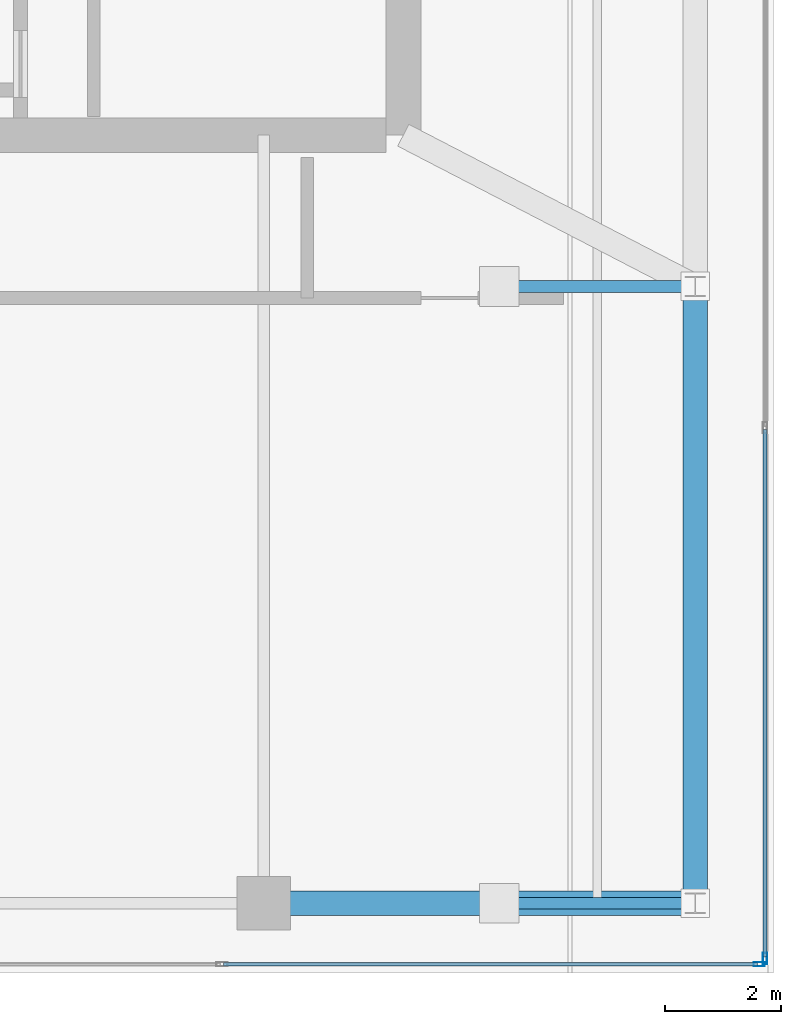
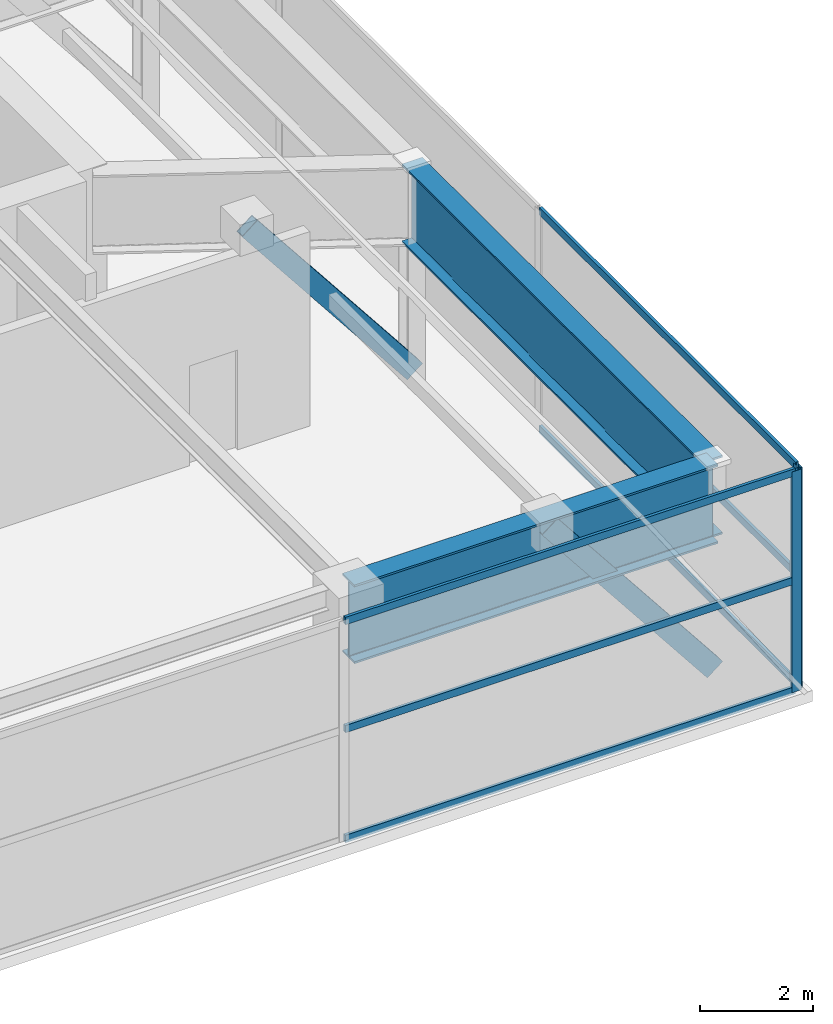
# One storey, part 6 of 20: 8 members, 4 beams, 2 elements without a shape of their own.
"""IFC4 building model written with IfcOpenShell, lengths in metres."""

import ifcopenshell
import ifcopenshell.guid

model = None  # the IFC model being written
_history = None  # IfcOwnerHistory: only IFC2X3 demands one
_inside = {}  # id of a spatial element -> (the spatial element, [elements in it])
_under = {}  # id of a project, library or spatial element -> (it, [spatial elements below it])
_declared = {}  # id of a project -> (the project, [libraries it declares])
_typed = {}  # id of a type object -> (the type object, [elements of that type])
_made_of = {}  # id of a material, layer set ... -> (it, [elements and type objects made of it])


def new_model(schema):
    """Start an empty IFC model of exactly this schema.

    Asked for "IFC4X3", IfcOpenShell would pick the latest addendum, in which some entities
    have other attributes; the version numbers below select the first issue.
    IFC2X3 requires an IfcOwnerHistory on every rooted entity: one is made here for all.
    """
    global model, _history
    if schema == "IFC4X3":
        model = ifcopenshell.file(schema_version=(4, 3, 0, 0))
    else:
        model = ifcopenshell.file(schema=schema)
    _inside.clear()
    _under.clear()
    _declared.clear()
    _typed.clear()
    _made_of.clear()
    _history = None
    if model.schema == "IFC2X3":
        org = make("IfcOrganization", Name="unknown")
        user = make(
            "IfcPersonAndOrganization",
            ThePerson=make("IfcPerson", FamilyName="unknown"),
            TheOrganization=org,
        )
        app = make(
            "IfcApplication",
            ApplicationDeveloper=org,
            Version="unknown",
            ApplicationFullName="unknown",
            ApplicationIdentifier="unknown",
        )
        _history = make(
            "IfcOwnerHistory",
            OwningUser=user,
            OwningApplication=app,
            ChangeAction="ADDED",
            CreationDate=0,
        )
    return model


def make(cls, **values):
    """One entity of the class cls with the attributes given. An attribute that is None is left unset."""
    return model.create_entity(
        cls, **{name: value for name, value in values.items() if value is not None}
    )


def rooted(cls, **values):
    """An entity with a GlobalId (a new one), such as an element, a storey or a relation."""
    return make(cls, GlobalId=ifcopenshell.guid.new(), OwnerHistory=_history, **values)


def si_unit(unit_type, name, prefix=None):
    """IfcSIUnit, for example si_unit("LENGTHUNIT", "METRE", prefix="MILLI")."""
    return make("IfcSIUnit", UnitType=unit_type, Prefix=prefix, Name=name)


def assignment(units):
    """IfcUnitAssignment: the units of a project."""
    return None if units is None else make("IfcUnitAssignment", Units=units)


def point(xyz):
    """IfcCartesianPoint."""
    return None if xyz is None else make("IfcCartesianPoint", Coordinates=xyz)


def direction(xyz):
    """IfcDirection."""
    return None if xyz is None else make("IfcDirection", DirectionRatios=xyz)


def frame(location, z_axis=None, x_axis=None):
    """IfcAxis2Placement3D, a coordinate frame: its origin and axes. An axis left out is left unset."""
    return make(
        "IfcAxis2Placement3D",
        Location=point(location),
        Axis=direction(z_axis),
        RefDirection=direction(x_axis),
    )


def frame_2d(location, x_axis=None):
    """IfcAxis2Placement2D, a coordinate frame in the plane: its origin and x axis."""
    return make(
        "IfcAxis2Placement2D", Location=point(location), RefDirection=direction(x_axis)
    )


def origin():
    """The frame at (0, 0, 0) with its axes left unset."""
    return frame((0.0, 0.0, 0.0))


def origin_2d():
    """The frame at (0, 0) in the plane with its x axis left unset."""
    return frame_2d((0.0, 0.0))


def place(relative_to, where):
    """IfcLocalPlacement: puts the frame where relative to a parent placement (None: the world)."""
    return make(
        "IfcLocalPlacement", PlacementRelTo=relative_to, RelativePlacement=where
    )


def context(
    kind, dimensions, precision=None, world=None, true_north=None, identifier=None
):
    """IfcGeometricRepresentationContext, for example the 3D "Model" context."""
    return make(
        "IfcGeometricRepresentationContext",
        ContextIdentifier=identifier,
        ContextType=kind,
        CoordinateSpaceDimension=dimensions,
        Precision=precision,
        WorldCoordinateSystem=world,
        TrueNorth=true_north,
    )


def subcontext(parent, identifier, kind, view, scale=None):
    """IfcGeometricRepresentationSubContext, for example "Body" below "Model"."""
    return make(
        "IfcGeometricRepresentationSubContext",
        ContextIdentifier=identifier,
        ContextType=kind,
        ParentContext=parent,
        TargetScale=scale,
        TargetView=view,
    )


def project(units=None, contexts=None):
    """IfcProject with its units and contexts."""
    return rooted(
        "IfcProject",
        Name="project",
        RepresentationContexts=contexts,
        UnitsInContext=assignment(units),
    )


def spatial(cls, under=None, at=None, **own):
    """A site, building, storey or space (cls), placed at a placement, below another one or the project."""
    s = rooted(cls, ObjectPlacement=at, **own)
    if under is not None:
        _under.setdefault(under.id(), (under, []))[1].append(s)
    return s


def profile(cls, at=None, kind="AREA", **sizes):
    """A parametric profile (cls). Its sizes go by their IFC names, for example OverallWidth=200.0."""
    return make(cls, ProfileType=kind, Position=at, **sizes)


def hollow_rectangle(**sizes):
    """IfcRectangleHollowProfileDef."""
    return profile("IfcRectangleHollowProfileDef", **sizes)


def i_section(**sizes):
    """IfcIShapeProfileDef."""
    return profile("IfcIShapeProfileDef", **sizes)


def extrude(swept, where, along, depth):
    """IfcExtrudedAreaSolid: the profile swept, set in the frame where, extruded along a direction by depth."""
    return make(
        "IfcExtrudedAreaSolid",
        SweptArea=swept,
        Position=where,
        ExtrudedDirection=direction(along),
        Depth=depth,
    )


def shape(context_of_items, identifier, shape_type, items):
    """IfcShapeRepresentation: the items that make up one representation, for example the "Body"."""
    return make(
        "IfcShapeRepresentation",
        ContextOfItems=context_of_items,
        RepresentationIdentifier=identifier,
        RepresentationType=shape_type,
        Items=items,
    )


def material(Name=None, Category=None):
    """IfcMaterial."""
    return make("IfcMaterial", Name=Name, Category=Category)


def layer(
    of_material, thickness, ventilated=None, Name=None, Category=None, Priority=None
):
    """IfcMaterialLayer: one layer of a wall or slab, of a material (None: an air gap)."""
    return make(
        "IfcMaterialLayer",
        Material=of_material,
        LayerThickness=thickness,
        IsVentilated=ventilated,
        Name=Name,
        Category=Category,
        Priority=Priority,
    )


def layer_set(layers, Name=None):
    """IfcMaterialLayerSet."""
    return make("IfcMaterialLayerSet", MaterialLayers=layers, LayerSetName=Name)


def material_profile(
    of_material, cross_section, Name=None, Category=None, Priority=None
):
    """IfcMaterialProfile: a cross section and its material."""
    return make(
        "IfcMaterialProfile",
        Name=Name,
        Material=of_material,
        Profile=cross_section,
        Priority=Priority,
        Category=Category,
    )


def profile_set(profiles, Name=None, composite=None):
    """IfcMaterialProfileSet."""
    return make(
        "IfcMaterialProfileSet",
        Name=Name,
        MaterialProfiles=profiles,
        CompositeProfile=composite,
    )


def made_of(thing, what):
    """Note that an element or type object is made of a material, layer set ...; save() writes the relation."""
    if what is not None:
        _made_of.setdefault(what.id(), (what, []))[1].append(thing)
    return thing


def type_object(cls, material=None, **own):
    """A type object (cls), such as IfcWallType, which elements share."""
    return made_of(rooted(cls, **own), material)


def element(
    cls,
    number,
    at=None,
    inside=None,
    cuts=None,
    type_object=None,
    material=None,
    context=None,
    identifier="Body",
    shape_type=None,
    held_by="IfcProductDefinitionShape",
    body=None,
    shapes=None,
    **own,
):
    """One element of the class cls, such as IfcWall. Its Tag is "e" and its number.

    at: its placement. inside: the storey or other place that contains it. cuts: it is an
    opening in that element (IfcRelVoidsElement). A single representation is given by context,
    identifier, shape_type and body (its items); several are given by shapes. held_by: the class
    of the entity that holds the representations. save() writes the other relations.
    """
    e = rooted(cls, Tag="e%d" % number, ObjectPlacement=at, **own)
    if body is not None:
        shapes = [shape(context, identifier, shape_type, body)]
    if shapes is not None:
        e.Representation = make(held_by, Representations=shapes)
    if inside is not None:
        _inside.setdefault(inside.id(), (inside, []))[1].append(e)
    if cuts is not None:
        rooted(
            "IfcRelVoidsElement", RelatingBuildingElement=cuts, RelatedOpeningElement=e
        )
    if type_object is not None:
        _typed.setdefault(type_object.id(), (type_object, []))[1].append(e)
    return made_of(e, material)


def aggregate(whole, parts):
    """IfcRelAggregates: a whole, such as a stair, and the parts it consists of."""
    return rooted("IfcRelAggregates", RelatingObject=whole, RelatedObjects=parts)


def save(model, path):
    """Write the relations noted so far, then the file.

    IfcRelAggregates (storeys below a building ...), IfcRelContainedInSpatialStructure (elements
    in a storey), IfcRelDefinesByType, IfcRelAssociatesMaterial and IfcRelDeclares: one each for
    every whole, place, type object, material and project.
    """
    for whole, parts in _under.values():
        aggregate(whole, parts)
    for where, things in _inside.values():
        rooted(
            "IfcRelContainedInSpatialStructure",
            RelatedElements=things,
            RelatingStructure=where,
        )
    for kind, things in _typed.values():
        rooted("IfcRelDefinesByType", RelatedObjects=things, RelatingType=kind)
    for what, things in _made_of.values():
        rooted("IfcRelAssociatesMaterial", RelatedObjects=things, RelatingMaterial=what)
    for by, libraries in _declared.values():
        rooted("IfcRelDeclares", RelatingContext=by, RelatedDefinitions=libraries)
    model.write(path)


model = new_model("IFC4")

# Units and contexts
model_context = context("Model", 3, precision=1e-05, world=origin(), true_north=direction((0.0, 1.0)))
body_context = subcontext(model_context, "Body", "Model", "MODEL_VIEW")
ifc_project = project(units=[si_unit("LENGTHUNIT", "METRE"), si_unit("AREAUNIT", "SQUARE_METRE"), si_unit("VOLUMEUNIT", "CUBIC_METRE"), si_unit("PLANEANGLEUNIT", "RADIAN"), si_unit("MASSUNIT", "GRAM", prefix="KILO")], contexts=[model_context])

# Site, building, storey
site_placement = place(None, origin())
site = spatial("IfcSite", under=ifc_project, at=site_placement, CompositionType="ELEMENT")
building_placement = place(site_placement, origin())
building = spatial("IfcBuilding", under=site, at=building_placement, Name="Calvorn Quay Hotel", CompositionType="ELEMENT")
storey_placement = place(building_placement, frame((0.0, 0.0, 340.5)))
storey = spatial("IfcBuildingStorey", under=building, at=storey_placement, Name="L83", CompositionType="ELEMENT", Elevation=340.5)

# Beams
ifc_material_1 = material(Name="Steel Q355B", Category="steel")
ifc_material_profile_1 = material_profile(ifc_material_1, hollow_rectangle(XDim=0.199951171875, YDim=0.39990234375, WallThickness=0.013916015625, at=origin_2d()), Name="RHS400x200x14")
ifc_profile_set_1 = profile_set([ifc_material_profile_1], Name="Steel Q355B")
beam_type_1 = type_object("IfcBeamType", Name="BM-CRN-RAFTER", PredefinedType="BEAM", material=ifc_profile_set_1)
for number, where, z_axis, x_axis, name in (
    (1, (20.01708984375, 3.60009765625, 0.25), (-0.62010046776, 0.0, 0.784522408784), (0.0, -1.0, 0.0), "Crown Raking Rafter L83-1"),
    (2, (20.01708984375, 14.199951171875, 0.25), (-0.62010046776, 0.0, 0.784522408784), (0.0, -1.0, 0.0), "Crown Raking Rafter L83-2"),
):
    element("IfcBeam", number, at=place(storey_placement, frame(where, z_axis=z_axis, x_axis=x_axis)), inside=storey, type_object=beam_type_1, Name=name, PredefinedType="BEAM", context=body_context, shape_type="SweptSolid", body=[
        extrude(hollow_rectangle(XDim=0.199951171875, YDim=0.39990234375, WallThickness=0.013916015625, at=origin_2d()), origin(), (0.0, 0.0, 1.0), 5.43017578125),
    ])
ifc_material_2 = material(Name="Steel Q420GJC", Category="steel")
ifc_material_profile_2 = material_profile(ifc_material_2, i_section(OverallWidth=0.419921875, OverallDepth=1.699951171875, WebThickness=0.02392578125, FlangeThickness=0.0419921875, FilletRadius=0.02392578125, at=origin_2d()), Name="HN1700x420x24x42")
ifc_profile_set_2 = profile_set([ifc_material_profile_2], Name="Steel Q420GJC")
beam_type_2 = type_object("IfcBeamType", Name="BM-XFER-SAWTOOTH", PredefinedType="BEAM", material=ifc_profile_set_2)
beam_1_placement = place(storey_placement, frame((12.60009765625, 3.60009765625, 3.889892578125), z_axis=(1.0, 0.0, 0.0), x_axis=(0.0, 1.0, 0.0)))
element("IfcBeam", 3, at=beam_1_placement, inside=storey, type_object=beam_type_2, Name="Beam BTG-L83-C-CR1", PredefinedType="BEAM", context=body_context, shape_type="SweptSolid", body=[
    extrude(i_section(OverallWidth=0.419921875, OverallDepth=1.699951171875, WebThickness=0.02392578125, FlangeThickness=0.0419921875, FilletRadius=0.02392578125, at=origin_2d()), origin(), (0.0, 0.0, 1.0), 7.4169921875),
])
beam_2_placement = place(storey_placement, frame((20.01708984375, 3.60009765625, 3.889892578125), z_axis=(0.0, 1.0, 0.0), x_axis=(-1.0, 0.0, 0.0)))
element("IfcBeam", 4, at=beam_2_placement, inside=storey, type_object=beam_type_2, Name="Beam BTG-L83-CE1", PredefinedType="BEAM", context=body_context, shape_type="SweptSolid", body=[
    extrude(i_section(OverallWidth=0.419921875, OverallDepth=1.699951171875, WebThickness=0.02392578125, FlangeThickness=0.0419921875, FilletRadius=0.02392578125, at=origin_2d()), origin(), (0.0, 0.0, 1.0), 10.599853515625),
])

# Curtain wall, member
ifc_material_3 = material(Name="Pale Anodised Aluminium and Laminated Glass", Category="aluminium")
ifc_layer = layer(ifc_material_3, 0.219970703125)
ifc_layer_set = layer_set([ifc_layer], Name="CW-SYS-CRN")
curtain_wall_type = type_object("IfcCurtainWallType", Name="CW-SYS-CRN", PredefinedType="NOTDEFINED", material=ifc_layer_set)
curtain_wall_1_placement = place(storey_placement, origin())
curtain_wall_1 = element("IfcCurtainWall", 5, at=curtain_wall_1_placement, inside=storey, type_object=curtain_wall_type, Name="Crown Curtain Wall L83-C1", PredefinedType="NOTDEFINED")
ifc_material_4 = material(Name="Pale Anodised Aluminium 6063-T6", Category="aluminium")
ifc_material_profile_3 = material_profile(ifc_material_4, hollow_rectangle(XDim=0.072021484375, YDim=0.195068359375, WallThickness=0.00390625, at=origin_2d()), Name="ALU-M195x72x4")
ifc_profile_set_3 = profile_set([ifc_material_profile_3], Name="Pale Anodised Aluminium 6063-T6")
member_type_1 = type_object("IfcMemberType", Name="CW-SYS-CRN-MUL", PredefinedType="MULLION", material=ifc_profile_set_3)
member_1_placement = place(storey_placement, frame((21.116943359375, 2.550048828125, 0.0), z_axis=(0.0, 0.0, 1.0), x_axis=(0.0, 1.0, 0.0)))
member_1 = element("IfcMember", 6, at=member_1_placement, type_object=member_type_1, Name="CW-L83-C1 mullion 3", PredefinedType="MULLION", context=body_context, shape_type="SweptSolid", body=[
    extrude(hollow_rectangle(XDim=0.072021484375, YDim=0.195068359375, WallThickness=0.00390625, at=origin_2d()), origin(), (0.0, 0.0, 1.0), 4.760009765625),
])

curtain_wall_2_placement = place(storey_placement, origin())
curtain_wall_2 = element("IfcCurtainWall", 7, at=curtain_wall_2_placement, inside=storey, type_object=curtain_wall_type, Name="Crown Curtain Wall L83-C2", PredefinedType="NOTDEFINED")
member_2_placement = place(storey_placement, frame((21.217041015625, 2.64990234375, 0.0), z_axis=(0.0, 0.0, 1.0), x_axis=(-1.0, 0.0, 0.0)))
member_2 = element("IfcMember", 8, at=member_2_placement, type_object=member_type_1, Name="CW-L83-C2 mullion 1", PredefinedType="MULLION", context=body_context, shape_type="SweptSolid", body=[
    extrude(hollow_rectangle(XDim=0.072021484375, YDim=0.195068359375, WallThickness=0.00390625, at=origin_2d()), origin(), (0.0, 0.0, 1.0), 4.760009765625),
])

# Member
ifc_material_5 = material(Name="Pale Anodised Aluminium 6063-T6", Category="aluminium")
ifc_material_profile_4 = material_profile(ifc_material_5, hollow_rectangle(XDim=0.06201171875, YDim=0.159912109375, WallThickness=0.00341796875, at=origin_2d()), Name="ALU-T160x62x3.5")
ifc_profile_set_4 = profile_set([ifc_material_profile_4], Name="Pale Anodised Aluminium 6063-T6")
member_type_2 = type_object("IfcMemberType", Name="CW-SYS-CRN-TRN", PredefinedType="USERDEFINED", material=ifc_profile_set_4)
member_3_placement = place(storey_placement, frame((11.91357421875, 2.550048828125, 0.030029296875), z_axis=(1.0, 0.0, 0.0), x_axis=(0.0, 1.0, 0.0)))
member_3 = element("IfcMember", 9, at=member_3_placement, type_object=member_type_2, Name="CW-L83-C1 transom 2.1", ObjectType="TRANSOM", PredefinedType="USERDEFINED", context=body_context, shape_type="SweptSolid", body=[
    extrude(hollow_rectangle(XDim=0.06201171875, YDim=0.159912109375, WallThickness=0.00341796875, at=origin_2d()), origin(), (0.0, 0.0, 1.0), 9.17333984375),
])

member_4_placement = place(storey_placement, frame((11.91357421875, 2.550048828125, 2.39990234375), z_axis=(1.0, 0.0, 0.0), x_axis=(0.0, 1.0, 0.0)))
member_4 = element("IfcMember", 10, at=member_4_placement, type_object=member_type_2, Name="CW-L83-C1 transom 2.2", ObjectType="TRANSOM", PredefinedType="USERDEFINED", context=body_context, shape_type="SweptSolid", body=[
    extrude(hollow_rectangle(XDim=0.06201171875, YDim=0.159912109375, WallThickness=0.00341796875, at=origin_2d()), origin(), (0.0, 0.0, 1.0), 9.17333984375),
])

member_5_placement = place(storey_placement, frame((11.91357421875, 2.550048828125, 4.72998046875), z_axis=(1.0, 0.0, 0.0), x_axis=(0.0, 1.0, 0.0)))
member_5 = element("IfcMember", 11, at=member_5_placement, type_object=member_type_2, Name="CW-L83-C1 transom 2.3", ObjectType="TRANSOM", PredefinedType="USERDEFINED", context=body_context, shape_type="SweptSolid", body=[
    extrude(hollow_rectangle(XDim=0.06201171875, YDim=0.159912109375, WallThickness=0.00341796875, at=origin_2d()), origin(), (0.0, 0.0, 1.0), 9.17333984375),
])

aggregate(curtain_wall_1, [member_1, member_3, member_4, member_5])

member_6_placement = place(storey_placement, frame((21.217041015625, 2.679931640625, 0.030029296875), z_axis=(0.0, 1.0, 0.0), x_axis=(-1.0, 0.0, 0.0)))
member_6 = element("IfcMember", 12, at=member_6_placement, type_object=member_type_2, Name="CW-L83-C2 transom 1.1", ObjectType="TRANSOM", PredefinedType="USERDEFINED", context=body_context, shape_type="SweptSolid", body=[
    extrude(hollow_rectangle(XDim=0.06201171875, YDim=0.159912109375, WallThickness=0.00341796875, at=origin_2d()), origin(), (0.0, 0.0, 1.0), 9.06201171875),
])

member_7_placement = place(storey_placement, frame((21.217041015625, 2.679931640625, 2.39990234375), z_axis=(0.0, 1.0, 0.0), x_axis=(-1.0, 0.0, 0.0)))
member_7 = element("IfcMember", 13, at=member_7_placement, type_object=member_type_2, Name="CW-L83-C2 transom 1.2", ObjectType="TRANSOM", PredefinedType="USERDEFINED", context=body_context, shape_type="SweptSolid", body=[
    extrude(hollow_rectangle(XDim=0.06201171875, YDim=0.159912109375, WallThickness=0.00341796875, at=origin_2d()), origin(), (0.0, 0.0, 1.0), 9.06201171875),
])

member_8_placement = place(storey_placement, frame((21.217041015625, 2.679931640625, 4.72998046875), z_axis=(0.0, 1.0, 0.0), x_axis=(-1.0, 0.0, 0.0)))
member_8 = element("IfcMember", 14, at=member_8_placement, type_object=member_type_2, Name="CW-L83-C2 transom 1.3", ObjectType="TRANSOM", PredefinedType="USERDEFINED", context=body_context, shape_type="SweptSolid", body=[
    extrude(hollow_rectangle(XDim=0.06201171875, YDim=0.159912109375, WallThickness=0.00341796875, at=origin_2d()), origin(), (0.0, 0.0, 1.0), 9.06201171875),
])

aggregate(curtain_wall_2, [member_2, member_6, member_7, member_8])

save(model, "model.ifc")
